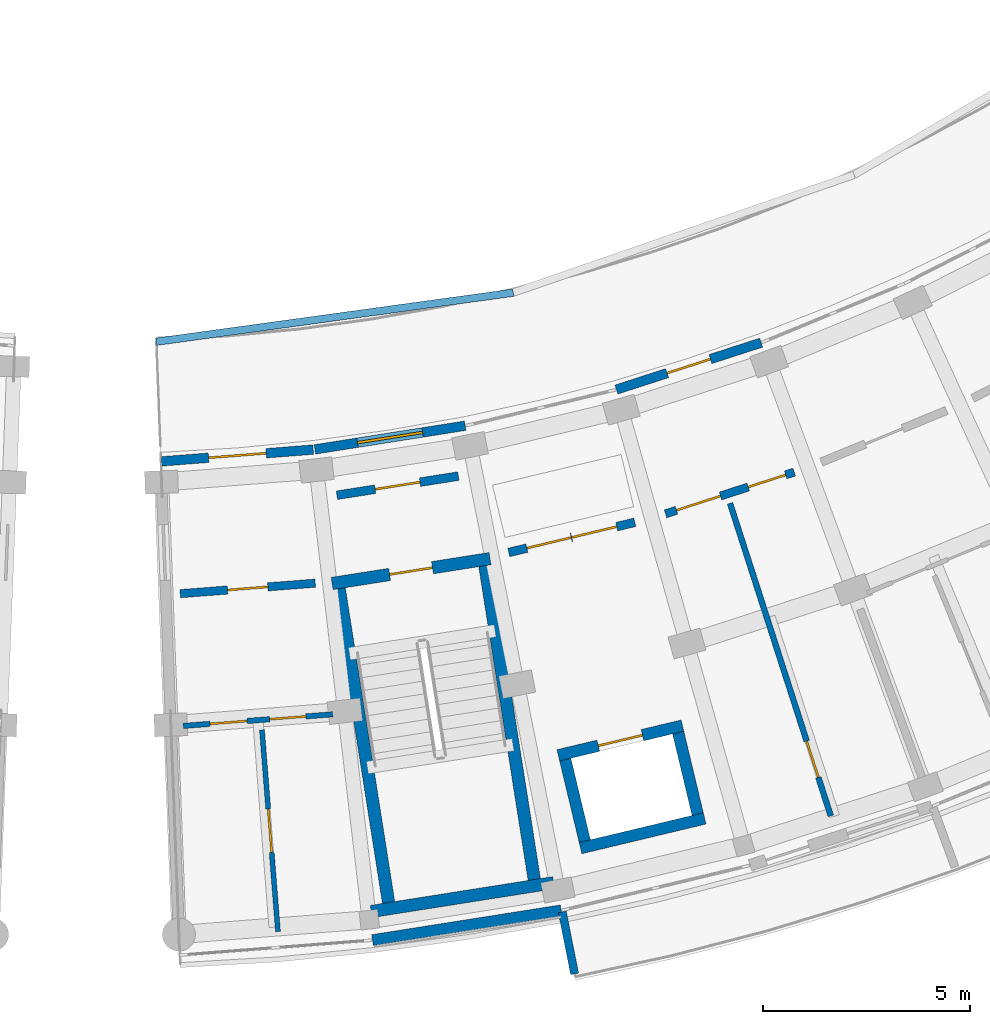
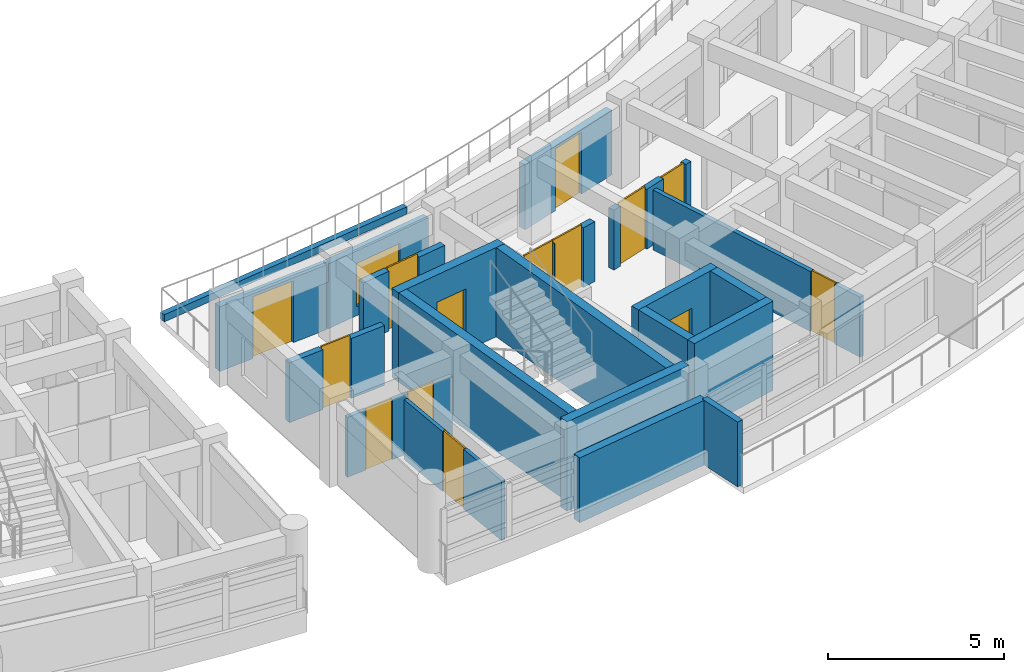
# One storey, part 37 of 54: 21 walls, 14 doors, 1 window, 15 openings.
"""IFC4 building model written with IfcOpenShell, lengths in metres."""

from ifc_helpers import new_model, si_unit, direction, frame, frame_2d, origin, place, context, subcontext, project, spatial, rectangle, extrude, material, layer, layer_set, type_object, element, fill, save


model = new_model("IFC4")

# Units and contexts
model_context = context("Model", 3, precision=1e-05, world=origin(), true_north=direction((0.0, 1.0)))
body_context = subcontext(model_context, "Body", "Model", "MODEL_VIEW")
ifc_project = project(units=[si_unit("LENGTHUNIT", "METRE"), si_unit("AREAUNIT", "SQUARE_METRE"), si_unit("VOLUMEUNIT", "CUBIC_METRE"), si_unit("PLANEANGLEUNIT", "RADIAN"), si_unit("MASSUNIT", "GRAM", prefix="KILO")], contexts=[model_context])

# Site, building, storey
site_placement = place(None, origin())
site = spatial("IfcSite", under=ifc_project, at=site_placement, CompositionType="ELEMENT")
building_placement = place(site_placement, origin())
building = spatial("IfcBuilding", under=site, at=building_placement, Name="Zimvara Arc Housing Community", CompositionType="ELEMENT")
storey_placement = place(building_placement, frame((0.0, 0.0, 20.5)))
storey = spatial("IfcBuildingStorey", under=building, at=storey_placement, Name="L06", CompositionType="ELEMENT", Elevation=20.5)

# Wall, opening, door
ifc_material_1 = material(Name="Board-Marked Fair-Faced Concrete C35/45", Category="concrete")
ifc_layer_1 = layer(ifc_material_1, 0.22998046875)
ifc_layer_set_1 = layer_set([ifc_layer_1], Name="Board-Marked Fair-Faced Concrete C35/45")
wall_type_1 = type_object("IfcWallType", Name="EWL-CONC-230", PredefinedType="SOLIDWALL", material=ifc_layer_set_1)
wall_1_placement = place(storey_placement, frame((127.8203125, 62.4765625, 0.0), z_axis=(0.0, 0.0, 1.0), x_axis=(0.996988621344, 0.077547978126, 0.0)))
wall_1 = element("IfcWall", 1, at=wall_1_placement, inside=storey, type_object=wall_type_1, Name="ewall:blkD:L06:in:b0", PredefinedType="SOLIDWALL", context=body_context, shape_type="SweptSolid", body=[
    extrude(rectangle(XDim=3.683349609375, YDim=0.22998046875, at=frame_2d((1.841796875, 0.0))), origin(), (0.0, 0.0, 1.0), 2.25),
])
opening_1_placement = place(wall_1_placement, frame((1.1416015625, 0.0, 0.0)))
opening_1 = element("IfcOpeningElement", 2, at=opening_1_placement, cuts=wall_1, Name="Opening ED07", PredefinedType="OPENING", context=body_context, shape_type="SweptSolid", body=[
    extrude(rectangle(XDim=1.39990234375, YDim=2.14990234375, at=frame_2d((0.699951171875, 1.074951171875))), frame((0.0, 0.125, 0.0), z_axis=(0.0, -1.0, 0.0), x_axis=(1.0, 0.0, 0.0)), (0.0, 0.0, 1.0), 0.25),
])
ifc_material_2 = material(Name="Anodised Aluminium AW-6063", Category="aluminium")
door_type_1 = type_object("IfcDoorType", Name="EDR-TERR-1400x2150", OperationType="DOUBLE_DOOR_SINGLE_SWING", PredefinedType="DOOR", material=ifc_material_2)
door_1_placement = place(opening_1_placement, origin())
door_1 = element("IfcDoor", 3, at=door_1_placement, inside=storey, type_object=door_type_1, Name="edoor:blkD:L06:terr:b0", OperationType="DOUBLE_DOOR_SINGLE_SWING", OverallHeight=2.14990234375, OverallWidth=1.39990234375, PredefinedType="DOOR", context=body_context, shape_type="SweptSolid", body=[
    extrude(rectangle(XDim=1.39990234375, YDim=2.14990234375, at=frame_2d((0.699951171875, 1.074951171875))), frame((0.0, 0.02490234375, 0.0), z_axis=(0.0, -1.0, 0.0), x_axis=(1.0, 0.0, 0.0)), (0.0, 0.0, 1.0), 0.050048828125),
])
fill(opening_1, door_1)

# Wall, opening, window
wall_2_placement = place(storey_placement, frame((131.5322265625, 62.766845703125, 0.0), z_axis=(0.0, 0.0, 1.0), x_axis=(0.987816646119, 0.155622214512, 0.0)))
wall_2 = element("IfcWall", 4, at=wall_2_placement, inside=storey, type_object=wall_type_1, Name="ewall:blkD:L06:in:b1", PredefinedType="SOLIDWALL", context=body_context, shape_type="SweptSolid", body=[
    extrude(rectangle(XDim=3.68359375, YDim=0.22998046875, at=frame_2d((1.841796875, 0.0))), origin(), (0.0, 0.0, 1.0), 2.25),
])
opening_2_placement = place(wall_2_placement, frame((1.041748046875, 0.0, 0.320068359375)))
opening_2 = element("IfcOpeningElement", 5, at=opening_2_placement, cuts=wall_2, Name="Opening W03", PredefinedType="OPENING", context=body_context, shape_type="SweptSolid", body=[
    extrude(rectangle(XDim=1.60009765625, YDim=1.5, at=frame_2d((0.800048828125, 0.75))), frame((0.0, 0.125, 0.0), z_axis=(0.0, -1.0, 0.0), x_axis=(1.0, 0.0, 0.0)), (0.0, 0.0, 1.0), 0.25),
])
ifc_material_3 = material(Name="Solar Control Low-E Double Glazing", Category="glass")
window_type = type_object("IfcWindowType", Name="WIN-RES-1600x1500", PartitioningType="DOUBLE_PANEL_VERTICAL", PredefinedType="WINDOW", material=ifc_material_3)
window_placement = place(opening_2_placement, origin())
window = element("IfcWindow", 6, at=window_placement, inside=storey, type_object=window_type, Name="win:blkD:L06:in:b1", OverallHeight=1.5, OverallWidth=1.60009765625, PartitioningType="DOUBLE_PANEL_VERTICAL", PredefinedType="WINDOW", context=body_context, shape_type="SweptSolid", body=[
    extrude(rectangle(XDim=1.60009765625, YDim=1.5, at=frame_2d((0.800048828125, 0.75))), frame((0.0, 0.030029296875, 0.0), z_axis=(0.0, -1.0, 0.0), x_axis=(1.0, 0.0, 0.0)), (0.0, 0.0, 1.0), 0.06005859375),
])
fill(opening_2, window)

# Wall, opening, door
wall_3_placement = place(storey_placement, frame((138.830810546875, 64.21533203125, 0.0), z_axis=(0.0, 0.0, 1.0), x_axis=(0.951320548791, 0.308203201552, 0.0)))
wall_3 = element("IfcWall", 7, at=wall_3_placement, inside=storey, type_object=wall_type_1, Name="ewall:blkD:L06:in:b3", PredefinedType="SOLIDWALL", context=body_context, shape_type="SweptSolid", body=[
    extrude(rectangle(XDim=3.683349609375, YDim=0.22998046875, at=frame_2d((1.841796875, 0.0))), origin(), (0.0, 0.0, 1.0), 2.25),
])
opening_3_placement = place(wall_3_placement, frame((1.291748046875, 0.0, 0.0)))
opening_3 = element("IfcOpeningElement", 8, at=opening_3_placement, cuts=wall_3, Name="Opening ED06", PredefinedType="OPENING", context=body_context, shape_type="SweptSolid", body=[
    extrude(rectangle(XDim=1.10009765625, YDim=2.14990234375, at=frame_2d((0.550048828125, 1.074951171875))), frame((0.0, 0.125, 0.0), z_axis=(0.0, -1.0, 0.0), x_axis=(1.0, 0.0, 0.0)), (0.0, 0.0, 1.0), 0.25),
])
ifc_material_4 = material(Name="Anodised Aluminium AW-6063", Category="aluminium")
door_type_2 = type_object("IfcDoorType", Name="EDR-TERR-1100x2150", OperationType="NOTDEFINED", PredefinedType="DOOR", material=ifc_material_4)
door_2_placement = place(opening_3_placement, origin())
door_2 = element("IfcDoor", 9, at=door_2_placement, inside=storey, type_object=door_type_2, Name="edoor:blkD:L06:terr:b3", OperationType="SINGLE_SWING_LEFT", OverallHeight=2.14990234375, OverallWidth=1.10009765625, PredefinedType="DOOR", context=body_context, shape_type="SweptSolid", body=[
    extrude(rectangle(XDim=1.10009765625, YDim=2.14990234375, at=frame_2d((0.550048828125, 1.074951171875))), frame((0.0, 0.02490234375, 0.0), z_axis=(0.0, -1.0, 0.0), x_axis=(1.0, 0.0, 0.0)), (0.0, 0.0, 1.0), 0.050048828125),
])
fill(opening_3, door_2)

# Walls
ifc_material_5 = material(Name="Board-Marked Fair-Faced Concrete C35/45", Category="concrete")
ifc_layer_2 = layer(ifc_material_5, 0.179931640625)
ifc_layer_set_2 = layer_set([ifc_layer_2], Name="Board-Marked Fair-Faced Concrete C35/45")
wall_type_2 = type_object("IfcWallType", Name="EWL-PARA-180", PredefinedType="PARAPET", material=ifc_layer_set_2)
wall_4_placement = place(storey_placement, frame((127.68896484375, 65.372802734375, 0.0), z_axis=(0.0, 0.0, 1.0), x_axis=(0.990688510816, 0.136147987636, 0.0)))
element("IfcWall", 10, at=wall_4_placement, inside=storey, type_object=wall_type_2, Name="parapet:blkD:L06:p0", PredefinedType="PARAPET", context=body_context, shape_type="SweptSolid", body=[
    extrude(rectangle(XDim=8.7275390625, YDim=0.179931640625, at=frame_2d((4.36376953125, 0.0))), origin(), (0.0, 0.0, 1.0), 0.25),
])
ifc_material_6 = material(Name="Board-Marked Fair-Faced Concrete C35/45", Category="concrete")
ifc_layer_3 = layer(ifc_material_6, 0.195068359375)
ifc_layer_set_3 = layer_set([ifc_layer_3], Name="Board-Marked Fair-Faced Concrete C35/45")
wall_type_3 = type_object("IfcWallType", Name="EWL-PARA-195", PredefinedType="PARAPET", material=ifc_layer_set_3)
wall_5_placement = place(storey_placement, frame((137.521484375, 51.571533203125, 0.0), z_axis=(0.0, 0.0, 1.0), x_axis=(0.194213040361, -0.980959374772, 0.0)))
element("IfcWall", 11, at=wall_5_placement, inside=storey, type_object=wall_type_3, Name="finwall:blkD:L06:out:b2", PredefinedType="PARAPET", context=body_context, shape_type="SweptSolid", body=[
    extrude(rectangle(XDim=1.52978515625, YDim=0.195068359375, at=frame_2d((0.764892578125, 0.0))), origin(), (0.0, 0.0, 1.0), 2.25),
])
ifc_material_7 = material(Name="Board-Marked Fair-Faced Concrete C35/45", Category="concrete")
ifc_layer_4 = layer(ifc_material_7, 0.26806640625)
ifc_layer_set_4 = layer_set([ifc_layer_4], Name="Board-Marked Fair-Faced Concrete C35/45")
wall_type_4 = type_object("IfcWallType", Name="EWL-VAR-21", PredefinedType="SOLIDWALL", material=ifc_layer_set_4)
wall_6_placement = place(storey_placement, frame((132.927734375, 50.888671875, 0.0), z_axis=(0.0, 0.0, 1.0), x_axis=(0.987828826394, 0.155544880165, 0.0)))
element("IfcWall", 12, at=wall_6_placement, inside=storey, type_object=wall_type_4, Name="ewall:blkD:L06:out:b1", PredefinedType="SOLIDWALL", context=body_context, shape_type="SweptSolid", body=[
    extrude(rectangle(XDim=4.622314453125, YDim=0.26806640625, at=frame_2d((2.31103515625, 0.0))), origin(), (0.0, 0.0, 1.0), 2.25),
])

# Wall, opening, door
ifc_material_8 = material(Name="Concrete C35/45", Category="concrete")
ifc_layer_5 = layer(ifc_material_8, 0.2099609375)
ifc_layer_set_5 = layer_set([ifc_layer_5], Name="Concrete C35/45")
wall_type_5 = type_object("IfcWallType", Name="IWL-CCF-210", PredefinedType="SOLIDWALL", material=ifc_layer_set_5)
wall_7_placement = place(storey_placement, frame((132.065185546875, 61.6572265625, 0.0), z_axis=(0.0, 0.0, 1.0), x_axis=(0.987816121487, 0.155625544594, 0.0)))
wall_7 = element("IfcWall", 13, at=wall_7_placement, inside=storey, type_object=wall_type_5, Name="iwall:blkD:L06:ccf_div:b1", PredefinedType="SOLIDWALL", context=body_context, shape_type="SweptSolid", body=[
    extrude(rectangle(XDim=2.97607421875, YDim=0.2099609375, at=frame_2d((1.488037109375, 0.0))), origin(), (0.0, 0.0, 1.0), 2.080078125),
])
opening_4_placement = place(wall_7_placement, frame((0.93798828125, 0.0, 0.0)))
opening_4 = element("IfcOpeningElement", 14, at=opening_4_placement, cuts=wall_7, Name="Opening FD-CCF1", PredefinedType="OPENING", context=body_context, shape_type="SweptSolid", body=[
    extrude(rectangle(XDim=1.10009765625, YDim=2.14990234375, at=frame_2d((0.550048828125, 1.074951171875))), frame((0.0, 0.114990234375, 0.0), z_axis=(0.0, -1.0, 0.0), x_axis=(1.0, 0.0, 0.0)), (0.0, 0.0, 1.0), 0.22998046875),
])
ifc_material_9 = material(Name="Anodised Aluminium AW-6063", Category="aluminium")
door_type_3 = type_object("IfcDoorType", Name="IDR-CCF-1100x2150", OperationType="NOTDEFINED", PredefinedType="DOOR", material=ifc_material_9)
door_3_placement = place(opening_4_placement, origin())
door_3 = element("IfcDoor", 15, at=door_3_placement, inside=storey, type_object=door_type_3, Name="idoor:blkD:L06:ccf_in:b1", OperationType="SINGLE_SWING_RIGHT", OverallHeight=2.14990234375, OverallWidth=1.10009765625, PredefinedType="DOOR", context=body_context, shape_type="SweptSolid", body=[
    extrude(rectangle(XDim=1.10009765625, YDim=2.14990234375, at=frame_2d((0.550048828125, 1.074951171875))), frame((0.0, 0.02490234375, 0.0), z_axis=(0.0, -1.0, 0.0), x_axis=(1.0, 0.0, 0.0)), (0.0, 0.0, 1.0), 0.050048828125),
])
fill(opening_4, door_3)

# Wall, openings, doors
wall_8_placement = place(storey_placement, frame((136.2265625, 60.272216796875, 0.0), z_axis=(0.0, 0.0, 1.0), x_axis=(0.972564346632, 0.232634029456, 0.0)))
wall_8 = element("IfcWall", 16, at=wall_8_placement, inside=storey, type_object=wall_type_5, Name="iwall:blkD:L06:ll_div:b2", PredefinedType="SOLIDWALL", context=body_context, shape_type="SweptSolid", body=[
    extrude(rectangle(XDim=3.136962890625, YDim=0.2099609375, at=frame_2d((1.568359375, 0.0))), origin(), (0.0, 0.0, 1.0), 2.080078125),
])
opening_5_placement = place(wall_8_placement, frame((0.449951171875, 0.0, 0.0)))
opening_5 = element("IfcOpeningElement", 17, at=opening_5_placement, cuts=wall_8, Name="Opening FD-CCF1", PredefinedType="OPENING", context=body_context, shape_type="SweptSolid", body=[
    extrude(rectangle(XDim=1.10009765625, YDim=2.14990234375, at=frame_2d((0.550048828125, 1.074951171875))), frame((0.0, 0.114990234375, 0.0), z_axis=(0.0, -1.0, 0.0), x_axis=(1.0, 0.0, 0.0)), (0.0, 0.0, 1.0), 0.22998046875),
])
opening_6_placement = place(wall_8_placement, frame((1.56689453125, 0.0, 0.0)))
opening_6 = element("IfcOpeningElement", 18, at=opening_6_placement, cuts=wall_8, Name="Opening D07", PredefinedType="OPENING", context=body_context, shape_type="SweptSolid", body=[
    extrude(rectangle(XDim=1.1201171875, YDim=2.14990234375, at=frame_2d((0.56005859375, 1.074951171875))), frame((0.0, 0.114990234375, 0.0), z_axis=(0.0, -1.0, 0.0), x_axis=(1.0, 0.0, 0.0)), (0.0, 0.0, 1.0), 0.22998046875),
])
ifc_material_10 = material(Name="Mozambican Hardwood", Category="wood")
door_type_4 = type_object("IfcDoorType", Name="IDR-AMN-1120x2150", OperationType="NOTDEFINED", PredefinedType="DOOR", material=ifc_material_10)
door_4_placement = place(opening_6_placement, origin())
door_4 = element("IfcDoor", 19, at=door_4_placement, inside=storey, type_object=door_type_4, Name="idoor:blkD:L06:rs_in:b2", OperationType="SINGLE_SWING_RIGHT", OverallHeight=2.14990234375, OverallWidth=1.1201171875, PredefinedType="DOOR", context=body_context, shape_type="SweptSolid", body=[
    extrude(rectangle(XDim=1.1201171875, YDim=2.14990234375, at=frame_2d((0.56005859375, 1.074951171875))), frame((0.0, 0.02490234375, 0.0), z_axis=(0.0, -1.0, 0.0), x_axis=(1.0, 0.0, 0.0)), (0.0, 0.0, 1.0), 0.050048828125),
])
fill(opening_6, door_4)
door_5_placement = place(opening_5_placement, origin())
door_5 = element("IfcDoor", 20, at=door_5_placement, inside=storey, type_object=door_type_3, Name="idoor:blkD:L06:ll_in:b2", OperationType="SINGLE_SWING_LEFT", OverallHeight=2.14990234375, OverallWidth=1.10009765625, PredefinedType="DOOR", context=body_context, shape_type="SweptSolid", body=[
    extrude(rectangle(XDim=1.10009765625, YDim=2.14990234375, at=frame_2d((0.550048828125, 1.074951171875))), frame((0.0, 0.02490234375, 0.0), z_axis=(0.0, -1.0, 0.0), x_axis=(1.0, 0.0, 0.0)), (0.0, 0.0, 1.0), 0.050048828125),
])
fill(opening_5, door_5)

# Wall, opening, door
ifc_material_11 = material(Name="Concrete C35/45", Category="concrete")
ifc_layer_6 = layer(ifc_material_11, 0.199951171875)
ifc_layer_set_6 = layer_set([ifc_layer_6], Name="Concrete C35/45")
wall_type_6 = type_object("IfcWallType", Name="IWL-CORR-200", PredefinedType="SOLIDWALL", material=ifc_layer_set_6)
wall_9_placement = place(storey_placement, frame((128.273193359375, 59.2744140625, 0.0), z_axis=(0.0, 0.0, 1.0), x_axis=(0.996982624396, 0.077625038827, 0.0)))
wall_9 = element("IfcWall", 21, at=wall_9_placement, inside=storey, type_object=wall_type_6, Name="iwall:blkD:L06:corr_out:b0", PredefinedType="SOLIDWALL", context=body_context, shape_type="SweptSolid", body=[
    extrude(rectangle(XDim=3.27734375, YDim=0.199951171875, at=frame_2d((1.638671875, 0.0))), origin(), (0.0, 0.0, 1.0), 2.080078125),
])
opening_7_placement = place(wall_9_placement, frame((1.1484375, 0.0, 0.0)))
opening_7 = element("IfcOpeningElement", 22, at=opening_7_placement, cuts=wall_9, Name="Opening FD-FL1", PredefinedType="OPENING", context=body_context, shape_type="SweptSolid", body=[
    extrude(rectangle(XDim=0.97998046875, YDim=2.14990234375, at=frame_2d((0.489990234375, 1.074951171875))), frame((0.0, 0.10986328125, 0.0), z_axis=(0.0, -1.0, 0.0), x_axis=(1.0, 0.0, 0.0)), (0.0, 0.0, 1.0), 0.219970703125),
])
ifc_material_12 = material(Name="Mozambican Hardwood", Category="wood")
door_type_5 = type_object("IfcDoorType", Name="IDR-FLAT-0980x2150", OperationType="NOTDEFINED", PredefinedType="DOOR", material=ifc_material_12)
door_6_placement = place(opening_7_placement, origin())
door_6 = element("IfcDoor", 23, at=door_6_placement, inside=storey, type_object=door_type_5, Name="idoor:blkD:L06:flat:b0", OperationType="SINGLE_SWING_RIGHT", OverallHeight=2.14990234375, OverallWidth=0.97998046875, PredefinedType="DOOR", context=body_context, shape_type="SweptSolid", body=[
    extrude(rectangle(XDim=0.97998046875, YDim=2.14990234375, at=frame_2d((0.489990234375, 1.074951171875))), frame((0.0, 0.02490234375, 0.0), z_axis=(0.0, -1.0, 0.0), x_axis=(1.0, 0.0, 0.0)), (0.0, 0.0, 1.0), 0.050048828125),
])
fill(opening_7, door_6)

# Wall, openings, doors
wall_10_placement = place(storey_placement, frame((140.018798828125, 61.20751953125, 0.0), z_axis=(0.0, 0.0, 1.0), x_axis=(0.951323803878, 0.308193154005, 0.0)))
wall_10 = element("IfcWall", 24, at=wall_10_placement, inside=storey, type_object=wall_type_6, Name="iwall:blkD:L06:corr_out:b3", PredefinedType="SOLIDWALL", context=body_context, shape_type="SweptSolid", body=[
    extrude(rectangle(XDim=3.277099609375, YDim=0.199951171875, at=frame_2d((1.638671875, 0.0))), origin(), (0.0, 0.0, 1.0), 2.080078125),
])
opening_8_placement = place(wall_10_placement, frame((0.280029296875, 0.0, 0.0)))
opening_8 = element("IfcOpeningElement", 25, at=opening_8_placement, cuts=wall_10, Name="Opening D07", PredefinedType="OPENING", context=body_context, shape_type="SweptSolid", body=[
    extrude(rectangle(XDim=1.1201171875, YDim=2.14990234375, at=frame_2d((0.56005859375, 1.074951171875))), frame((0.0, 0.10986328125, 0.0), z_axis=(0.0, -1.0, 0.0), x_axis=(1.0, 0.0, 0.0)), (0.0, 0.0, 1.0), 0.219970703125),
])
opening_9_placement = place(wall_10_placement, frame((2.10693359375, 0.0, 0.0)))
opening_9 = element("IfcOpeningElement", 26, at=opening_9_placement, cuts=wall_10, Name="Opening D06", PredefinedType="OPENING", context=body_context, shape_type="SweptSolid", body=[
    extrude(rectangle(XDim=0.949951171875, YDim=2.10009765625, at=frame_2d((0.47509765625, 1.050048828125))), frame((0.0, 0.10986328125, 0.0), z_axis=(0.0, -1.0, 0.0), x_axis=(1.0, 0.0, 0.0)), (0.0, 0.0, 1.0), 0.219970703125),
])
door_7_placement = place(opening_8_placement, origin())
door_7 = element("IfcDoor", 27, at=door_7_placement, inside=storey, type_object=door_type_4, Name="idoor:blkD:L06:amen:b3", OperationType="SINGLE_SWING_LEFT", OverallHeight=2.14990234375, OverallWidth=1.1201171875, PredefinedType="DOOR", context=body_context, shape_type="SweptSolid", body=[
    extrude(rectangle(XDim=1.1201171875, YDim=2.14990234375, at=frame_2d((0.56005859375, 1.074951171875))), frame((0.0, 0.02490234375, 0.0), z_axis=(0.0, -1.0, 0.0), x_axis=(1.0, 0.0, 0.0)), (0.0, 0.0, 1.0), 0.050048828125),
])
fill(opening_8, door_7)
ifc_material_13 = material(Name="Mozambican Hardwood", Category="wood")
door_type_6 = type_object("IfcDoorType", Name="IDR-AWC-0950x2100", OperationType="NOTDEFINED", PredefinedType="DOOR", material=ifc_material_13)
door_8_placement = place(opening_9_placement, origin())
door_8 = element("IfcDoor", 28, at=door_8_placement, inside=storey, type_object=door_type_6, Name="idoor:blkD:L06:cawc:b3", OperationType="SINGLE_SWING_RIGHT", OverallHeight=2.10009765625, OverallWidth=0.949951171875, PredefinedType="DOOR", context=body_context, shape_type="SweptSolid", body=[
    extrude(rectangle(XDim=0.949951171875, YDim=2.10009765625, at=frame_2d((0.47509765625, 1.050048828125))), frame((0.0, 0.02490234375, 0.0), z_axis=(0.0, -1.0, 0.0), x_axis=(1.0, 0.0, 0.0)), (0.0, 0.0, 1.0), 0.050048828125),
])
fill(opening_9, door_8)

# Wall, opening, door
ifc_material_14 = material(Name="Painted Acoustic Plasterboard")
ifc_layer_7 = layer(ifc_material_14, 0.1201171875)
ifc_layer_set_7 = layer_set([ifc_layer_7], Name="Painted Acoustic Plasterboard")
wall_type_7 = type_object("IfcWallType", Name="IWL-PART-120", PredefinedType="PARTITIONING", material=ifc_layer_set_7)
wall_11_placement = place(storey_placement, frame((130.25146484375, 55.97900390625, 0.0), z_axis=(0.0, 0.0, 1.0), x_axis=(0.079073860253, -0.99686875998, 0.0)))
wall_11 = element("IfcWall", 29, at=wall_11_placement, inside=storey, type_object=wall_type_7, Name="iwall:blkD:L06:bed_div:b0", PredefinedType="PARTITIONING", context=body_context, shape_type="SweptSolid", body=[
    extrude(rectangle(XDim=4.89990234375, YDim=0.1201171875, at=frame_2d((2.449951171875, 0.0))), origin(), (0.0, 0.0, 1.0), 2.080078125),
])
opening_10_placement = place(wall_11_placement, frame((1.919921875, 0.0, 0.0)))
opening_10 = element("IfcOpeningElement", 30, at=opening_10_placement, cuts=wall_11, Name="Opening D16", PredefinedType="OPENING", context=body_context, shape_type="SweptSolid", body=[
    extrude(rectangle(XDim=1.06005859375, YDim=2.10009765625, at=frame_2d((0.530029296875, 1.050048828125))), frame((0.0, 0.070068359375, 0.0), z_axis=(0.0, -1.0, 0.0), x_axis=(1.0, 0.0, 0.0)), (0.0, 0.0, 1.0), 0.14013671875),
])
ifc_material_15 = material(Name="Mozambican Hardwood", Category="wood")
door_type_7 = type_object("IfcDoorType", Name="IDR-MOD-1060x2220", OperationType="NOTDEFINED", PredefinedType="DOOR", material=ifc_material_15)
door_9_placement = place(opening_10_placement, origin())
door_9 = element("IfcDoor", 31, at=door_9_placement, inside=storey, type_object=door_type_7, Name="idoor:blkD:L06:bed_d:b0", OperationType="SINGLE_SWING_LEFT", OverallHeight=2.10009765625, OverallWidth=1.06005859375, PredefinedType="DOOR", context=body_context, shape_type="SweptSolid", body=[
    extrude(rectangle(XDim=1.06005859375, YDim=2.10009765625, at=frame_2d((0.530029296875, 1.050048828125))), frame((0.0, 0.02490234375, 0.0), z_axis=(0.0, -1.0, 0.0), x_axis=(1.0, 0.0, 0.0)), (0.0, 0.0, 1.0), 0.050048828125),
])
fill(opening_10, door_9)

# Wall, openings, doors
ifc_material_16 = material(Name="Painted Acoustic Plasterboard")
ifc_layer_8 = layer(ifc_material_16, 0.1298828125)
ifc_layer_set_8 = layer_set([ifc_layer_8], Name="Painted Acoustic Plasterboard")
wall_type_8 = type_object("IfcWallType", Name="IWL-PART-130", PredefinedType="PARTITIONING", material=ifc_layer_set_8)
wall_12_placement = place(storey_placement, frame((128.34619140625, 56.072998046875, 0.0), z_axis=(0.0, 0.0, 1.0), x_axis=(0.996986014478, 0.077581485773, 0.0)))
wall_12 = element("IfcWall", 32, at=wall_12_placement, inside=storey, type_object=wall_type_8, Name="iwall:blkD:L06:srv:b0", PredefinedType="PARTITIONING", context=body_context, shape_type="SweptSolid", body=[
    extrude(rectangle(XDim=3.62841796875, YDim=0.1298828125, at=frame_2d((1.814208984375, 0.0))), origin(), (0.0, 0.0, 1.0), 2.080078125),
])
opening_11_placement = place(wall_12_placement, frame((0.64990234375, 0.0, 0.0)))
opening_11 = element("IfcOpeningElement", 33, at=opening_11_placement, cuts=wall_12, Name="Opening D01", PredefinedType="OPENING", context=body_context, shape_type="SweptSolid", body=[
    extrude(rectangle(XDim=0.89990234375, YDim=2.10009765625, at=frame_2d((0.449951171875, 1.050048828125))), frame((0.0, 0.074951171875, 0.0), z_axis=(0.0, -1.0, 0.0), x_axis=(1.0, 0.0, 0.0)), (0.0, 0.0, 1.0), 0.14990234375),
])
opening_12_placement = place(wall_12_placement, frame((2.098388671875, 0.0, 0.0)))
opening_12 = element("IfcOpeningElement", 34, at=opening_12_placement, cuts=wall_12, Name="Opening D05", PredefinedType="OPENING", context=body_context, shape_type="SweptSolid", body=[
    extrude(rectangle(XDim=0.8798828125, YDim=2.10009765625, at=frame_2d((0.43994140625, 1.050048828125))), frame((0.0, 0.074951171875, 0.0), z_axis=(0.0, -1.0, 0.0), x_axis=(1.0, 0.0, 0.0)), (0.0, 0.0, 1.0), 0.14990234375),
])
ifc_material_17 = material(Name="Mozambican Hardwood", Category="wood")
door_type_8 = type_object("IfcDoorType", Name="IDR-RM-0900x2100", OperationType="NOTDEFINED", PredefinedType="DOOR", material=ifc_material_17)
door_10_placement = place(opening_11_placement, origin())
door_10 = element("IfcDoor", 35, at=door_10_placement, inside=storey, type_object=door_type_8, Name="idoor:blkD:L06:kit_liv:b0", OperationType="SINGLE_SWING_LEFT", OverallHeight=2.10009765625, OverallWidth=0.89990234375, PredefinedType="DOOR", context=body_context, shape_type="SweptSolid", body=[
    extrude(rectangle(XDim=0.89990234375, YDim=2.10009765625, at=frame_2d((0.449951171875, 1.050048828125))), frame((0.0, 0.02490234375, 0.0), z_axis=(0.0, -1.0, 0.0), x_axis=(1.0, 0.0, 0.0)), (0.0, 0.0, 1.0), 0.050048828125),
])
fill(opening_11, door_10)
ifc_material_18 = material(Name="Mozambican Hardwood", Category="wood")
door_type_9 = type_object("IfcDoorType", Name="IDR-WC-0880x2100", OperationType="NOTDEFINED", PredefinedType="DOOR", material=ifc_material_18)
door_11_placement = place(opening_12_placement, origin())
door_11 = element("IfcDoor", 36, at=door_11_placement, inside=storey, type_object=door_type_9, Name="idoor:blkD:L06:bath_d:b0", OperationType="SINGLE_SWING_RIGHT", OverallHeight=2.10009765625, OverallWidth=0.8798828125, PredefinedType="DOOR", context=body_context, shape_type="SweptSolid", body=[
    extrude(rectangle(XDim=0.8798828125, YDim=2.10009765625, at=frame_2d((0.43994140625, 1.050048828125))), frame((0.0, 0.02490234375, 0.0), z_axis=(0.0, -1.0, 0.0), x_axis=(1.0, 0.0, 0.0)), (0.0, 0.0, 1.0), 0.050048828125),
])
fill(opening_12, door_11)

# Wall, opening, door
ifc_material_19 = material(Name="Painted Acoustic Plasterboard")
ifc_layer_9 = layer(ifc_material_19, 0.139892578125)
ifc_layer_set_9 = layer_set([ifc_layer_9], Name="Painted Acoustic Plasterboard")
wall_type_9 = type_object("IfcWallType", Name="IWL-PART-140", PredefinedType="PARTITIONING", material=ifc_layer_set_9)
wall_13_placement = place(storey_placement, frame((141.581298828125, 61.46240234375, 0.0), z_axis=(0.0, 0.0, 1.0), x_axis=(0.306824216212, -0.951766200464, 0.0)))
wall_13 = element("IfcWall", 37, at=wall_13_placement, inside=storey, type_object=wall_type_9, Name="iwall:blkD:L06:amen_div:b3", PredefinedType="PARTITIONING", context=body_context, shape_type="SweptSolid", body=[
    extrude(rectangle(XDim=7.949951171875, YDim=0.139892578125, at=frame_2d((3.97509765625, 0.0))), origin(), (0.0, 0.0, 1.0), 2.080078125),
])
opening_13_placement = place(wall_13_placement, frame((6.050048828125, 0.0, 0.0)))
opening_13 = element("IfcOpeningElement", 38, at=opening_13_placement, cuts=wall_13, Name="Opening D02", PredefinedType="OPENING", context=body_context, shape_type="SweptSolid", body=[
    extrude(rectangle(XDim=0.919921875, YDim=2.10009765625, at=frame_2d((0.4599609375, 1.050048828125))), frame((0.0, 0.079833984375, 0.0), z_axis=(0.0, -1.0, 0.0), x_axis=(1.0, 0.0, 0.0)), (0.0, 0.0, 1.0), 0.159912109375),
])
ifc_material_20 = material(Name="Mozambican Hardwood", Category="wood")
door_type_10 = type_object("IfcDoorType", Name="IDR-RM-0920x2100", OperationType="NOTDEFINED", PredefinedType="DOOR", material=ifc_material_20)
door_12_placement = place(opening_13_placement, origin())
door_12 = element("IfcDoor", 39, at=door_12_placement, inside=storey, type_object=door_type_10, Name="idoor:blkD:L06:laund_d:b3", OperationType="SINGLE_SWING_LEFT", OverallHeight=2.10009765625, OverallWidth=0.919921875, PredefinedType="DOOR", context=body_context, shape_type="SweptSolid", body=[
    extrude(rectangle(XDim=0.919921875, YDim=2.10009765625, at=frame_2d((0.4599609375, 1.050048828125))), frame((0.0, 0.02490234375, 0.0), z_axis=(0.0, -1.0, 0.0), x_axis=(1.0, 0.0, 0.0)), (0.0, 0.0, 1.0), 0.050048828125),
])
fill(opening_13, door_12)

ifc_material_21 = material(Name="Concrete C40/50", Category="concrete")
ifc_layer_10 = layer(ifc_material_21, 0.280029296875)
ifc_layer_set_10 = layer_set([ifc_layer_10], Name="Concrete C40/50")
wall_type_10 = type_object("IfcWallType", Name="WL-CORE-280", PredefinedType="SHEAR", material=ifc_layer_set_10)
wall_14_placement = place(storey_placement, frame((137.4248046875, 55.3623046875, 0.0), z_axis=(0.0, 0.0, 1.0), x_axis=(0.972573452388, 0.232595958069, 0.0)))
wall_14 = element("IfcWall", 40, at=wall_14_placement, inside=storey, type_object=wall_type_10, Name="lwall:LP-D1:L06:front", PredefinedType="SHEAR", context=body_context, shape_type="SweptSolid", body=[
    extrude(rectangle(XDim=3.090087890625, YDim=0.280029296875, at=frame_2d((1.544921875, 0.0))), origin(), (0.0, 0.0, 1.0), 3.10009765625),
])
opening_14_placement = place(wall_14_placement, frame((0.9951171875, 0.0, 0.0)))
opening_14 = element("IfcOpeningElement", 41, at=opening_14_placement, cuts=wall_14, Name="Opening LD-LP-D1", PredefinedType="OPENING", context=body_context, shape_type="SweptSolid", body=[
    extrude(rectangle(XDim=1.10009765625, YDim=2.14990234375, at=frame_2d((0.550048828125, 1.074951171875))), frame((0.0, 0.14990234375, 0.0), z_axis=(0.0, -1.0, 0.0), x_axis=(1.0, 0.0, 0.0)), (0.0, 0.0, 1.0), 0.300048828125),
])
ifc_material_22 = material(Name="Anodised Aluminium AW-6063", Category="aluminium")
door_type_11 = type_object("IfcDoorType", Name="IDR-LD-1100x2150", OperationType="DOUBLE_DOOR_SLIDING", PredefinedType="DOOR", material=ifc_material_22)
door_13_placement = place(opening_14_placement, origin())
door_13 = element("IfcDoor", 42, at=door_13_placement, inside=storey, type_object=door_type_11, Name="Lift LP-D1 Sliding Landing Door L06", OperationType="DOUBLE_DOOR_SLIDING", OverallHeight=2.14990234375, OverallWidth=1.10009765625, PredefinedType="DOOR", context=body_context, shape_type="SweptSolid", body=[
    extrude(rectangle(XDim=1.10009765625, YDim=2.14990234375, at=frame_2d((0.550048828125, 1.074951171875))), frame((0.0, 0.02490234375, 0.0), z_axis=(0.0, -1.0, 0.0), x_axis=(1.0, 0.0, 0.0)), (0.0, 0.0, 1.0), 0.050048828125),
])
fill(opening_14, door_13)

# Walls
wall_15_placement = place(storey_placement, frame((137.962158203125, 53.11572265625, 0.0), z_axis=(0.0, 0.0, 1.0), x_axis=(0.972573452388, 0.232595958069, 0.0)))
element("IfcWall", 43, at=wall_15_placement, inside=storey, type_object=wall_type_10, Name="lwall:LP-D1:L06:back", PredefinedType="SHEAR", context=body_context, shape_type="SweptSolid", body=[
    extrude(rectangle(XDim=3.090087890625, YDim=0.280029296875, at=frame_2d((1.544921875, 0.0))), origin(), (0.0, 0.0, 1.0), 3.10009765625),
])
for number, where, z_axis, x_axis, name in (
    (44, (137.593505859375, 55.2587890625, 0.0), (0.0, 0.0, 1.0), (0.232590524316, -0.972574751882, 0.0), "lwall:LP-D1:L06:left"),
    (45, (140.326416015625, 55.912353515625, 0.0), (0.0, 0.0, 1.0), (0.232590524316, -0.972574751882, 0.0), "lwall:LP-D1:L06:right"),
):
    element("IfcWall", number, at=place(storey_placement, frame(where, z_axis=z_axis, x_axis=x_axis)), inside=storey, type_object=wall_type_10, Name=name, PredefinedType="SHEAR", context=body_context, shape_type="SweptSolid", body=[
        extrude(rectangle(XDim=2.030029296875, YDim=0.280029296875, at=frame_2d((1.01513671875, 0.0))), origin(), (0.0, 0.0, 1.0), 3.10009765625),
    ])

# Wall, opening, door
ifc_material_23 = material(Name="Concrete C40/50", Category="concrete")
ifc_layer_11 = layer(ifc_material_23, 0.300048828125)
ifc_layer_set_11 = layer_set([ifc_layer_11], Name="Concrete C40/50")
wall_type_11 = type_object("IfcWallType", Name="WL-CORE-300", PredefinedType="SHEAR", material=ifc_layer_set_11)
wall_16_placement = place(storey_placement, frame((131.948974609375, 59.520751953125, 0.0), z_axis=(0.0, 0.0, 1.0), x_axis=(0.98782579805, 0.155564111245, 0.0)))
wall_16 = element("IfcWall", 46, at=wall_16_placement, inside=storey, type_object=wall_type_11, Name="cwall:ST-D1:L06:near", PredefinedType="SHEAR", context=body_context, shape_type="SweptSolid", body=[
    extrude(rectangle(XDim=3.8701171875, YDim=0.300048828125, at=frame_2d((1.93505859375, 0.0))), origin(), (0.0, 0.0, 1.0), 3.10009765625),
])
opening_15_placement = place(wall_16_placement, frame((1.409912109375, 0.0, 0.0)))
opening_15 = element("IfcOpeningElement", 47, at=opening_15_placement, cuts=wall_16, Name="Opening FD-ST2", PredefinedType="OPENING", context=body_context, shape_type="SweptSolid", body=[
    extrude(rectangle(XDim=1.050048828125, YDim=2.14990234375, at=frame_2d((0.52490234375, 1.074951171875))), frame((0.0, 0.159912109375, 0.0), z_axis=(0.0, -1.0, 0.0), x_axis=(1.0, 0.0, 0.0)), (0.0, 0.0, 1.0), 0.320068359375),
])
ifc_material_24 = material(Name="Anodised Aluminium AW-6063", Category="aluminium")
door_type_12 = type_object("IfcDoorType", Name="IDR-ST-1050x2150", OperationType="NOTDEFINED", PredefinedType="DOOR", material=ifc_material_24)
door_14_placement = place(opening_15_placement, origin())
door_14 = element("IfcDoor", 48, at=door_14_placement, inside=storey, type_object=door_type_12, Name="idoor:ST-D1:L06:entry", OperationType="SINGLE_SWING_RIGHT", OverallHeight=2.14990234375, OverallWidth=1.050048828125, PredefinedType="DOOR", context=body_context, shape_type="SweptSolid", body=[
    extrude(rectangle(XDim=1.050048828125, YDim=2.14990234375, at=frame_2d((0.52490234375, 1.074951171875))), frame((0.0, 0.02490234375, 0.0), z_axis=(0.0, -1.0, 0.0), x_axis=(1.0, 0.0, 0.0)), (0.0, 0.0, 1.0), 0.050048828125),
])
fill(opening_15, door_14)

# Walls
wall_17_placement = place(storey_placement, frame((132.895751953125, 51.581298828125, 0.0), z_axis=(0.0, 0.0, 1.0), x_axis=(0.987819142769, 0.155606366126, 0.0)))
element("IfcWall", 49, at=wall_17_placement, inside=storey, type_object=wall_type_11, Name="cwall:ST-D1:L06:far", PredefinedType="SHEAR", context=body_context, shape_type="SweptSolid", body=[
    extrude(rectangle(XDim=4.469970703125, YDim=0.300048828125, at=frame_2d((2.23486328125, 0.0))), origin(), (0.0, 0.0, 1.0), 3.10009765625),
])
wall_18_placement = place(storey_placement, frame((132.12060546875, 59.39599609375, 0.0), z_axis=(0.0, 0.0, 1.0), x_axis=(0.155563141844, -0.987825950712, 0.0)))
element("IfcWall", 50, at=wall_18_placement, inside=storey, type_object=wall_type_11, Name="cwall:ST-D1:L06:left", PredefinedType="SHEAR", context=body_context, shape_type="SweptSolid", body=[
    extrude(rectangle(XDim=7.68994140625, YDim=0.300048828125, at=frame_2d((3.844970703125, 0.0))), origin(), (0.0, 0.0, 1.0), 3.10009765625),
])
wall_19_placement = place(storey_placement, frame((135.647216796875, 59.951171875, 0.0), z_axis=(0.0, 0.0, 1.0), x_axis=(0.155568020624, -0.987825182388, 0.0)))
element("IfcWall", 51, at=wall_19_placement, inside=storey, type_object=wall_type_11, Name="cwall:ST-D1:L06:right", PredefinedType="SHEAR", context=body_context, shape_type="SweptSolid", body=[
    extrude(rectangle(XDim=7.689697265625, YDim=0.300048828125, at=frame_2d((3.8447265625, 0.0))), origin(), (0.0, 0.0, 1.0), 3.10009765625),
])

save(model, "model.ifc")
